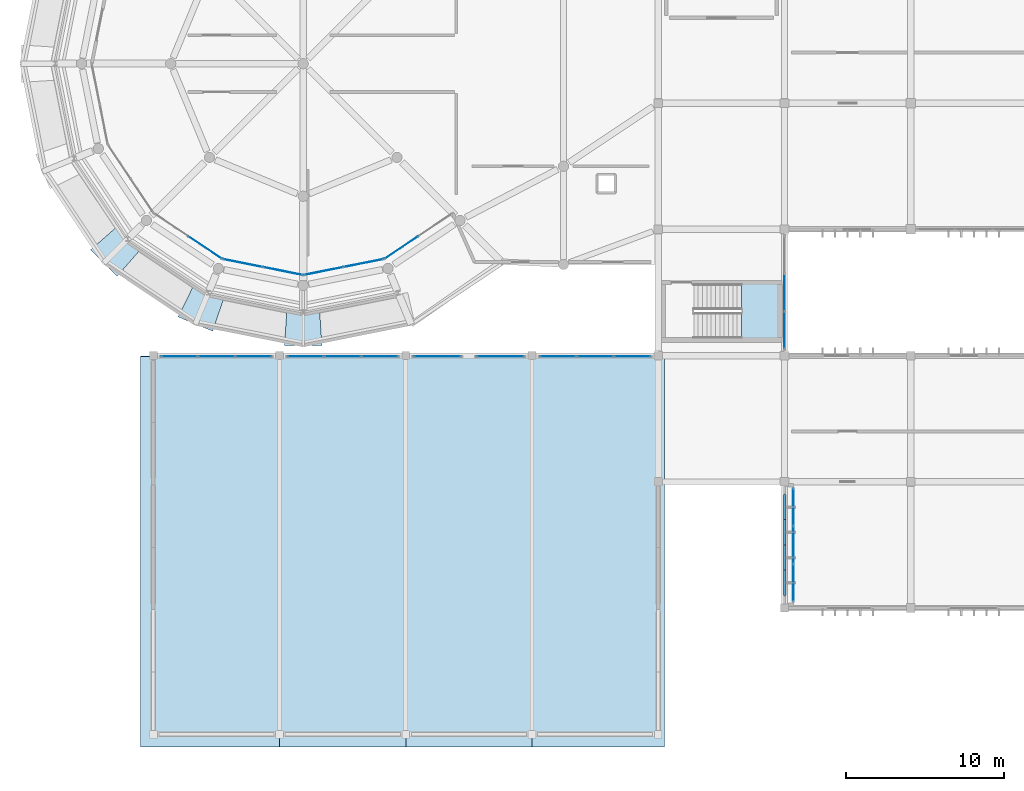
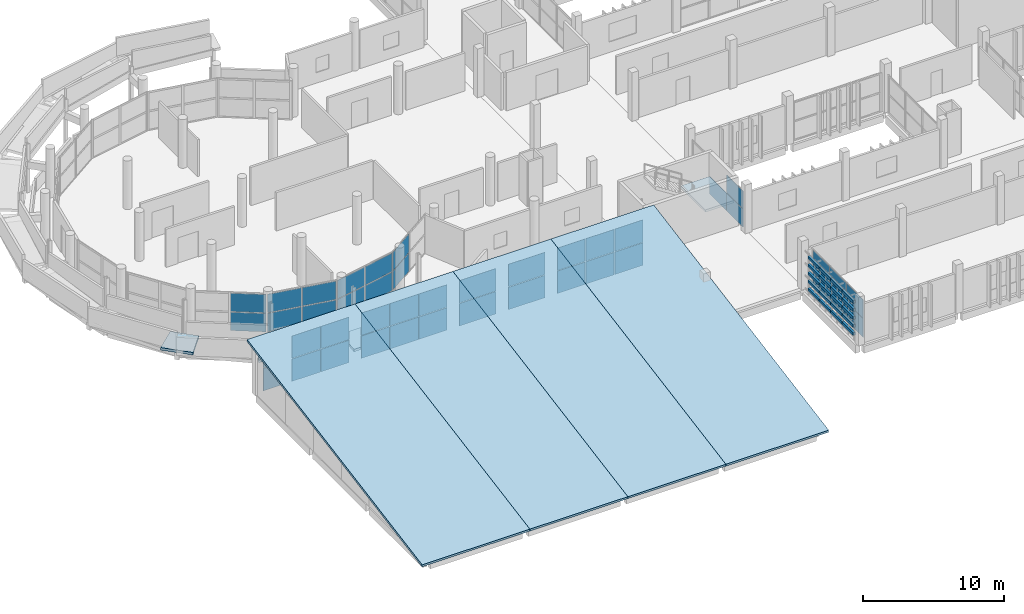
# One storey, part 56 of 83: 63 plates, 8 slabs, 13 elements without a shape of their own.
"""IFC4 building model written with IfcOpenShell, lengths in metres."""

import ifcopenshell
import ifcopenshell.guid

model = None  # the IFC model being written
_history = None  # IfcOwnerHistory: only IFC2X3 demands one
_inside = {}  # id of a spatial element -> (the spatial element, [elements in it])
_under = {}  # id of a project, library or spatial element -> (it, [spatial elements below it])
_declared = {}  # id of a project -> (the project, [libraries it declares])
_typed = {}  # id of a type object -> (the type object, [elements of that type])
_made_of = {}  # id of a material, layer set ... -> (it, [elements and type objects made of it])


def new_model(schema):
    """Start an empty IFC model of exactly this schema.

    Asked for "IFC4X3", IfcOpenShell would pick the latest addendum, in which some entities
    have other attributes; the version numbers below select the first issue.
    IFC2X3 requires an IfcOwnerHistory on every rooted entity: one is made here for all.
    """
    global model, _history
    if schema == "IFC4X3":
        model = ifcopenshell.file(schema_version=(4, 3, 0, 0))
    else:
        model = ifcopenshell.file(schema=schema)
    _inside.clear()
    _under.clear()
    _declared.clear()
    _typed.clear()
    _made_of.clear()
    _history = None
    if model.schema == "IFC2X3":
        org = make("IfcOrganization", Name="unknown")
        user = make(
            "IfcPersonAndOrganization",
            ThePerson=make("IfcPerson", FamilyName="unknown"),
            TheOrganization=org,
        )
        app = make(
            "IfcApplication",
            ApplicationDeveloper=org,
            Version="unknown",
            ApplicationFullName="unknown",
            ApplicationIdentifier="unknown",
        )
        _history = make(
            "IfcOwnerHistory",
            OwningUser=user,
            OwningApplication=app,
            ChangeAction="ADDED",
            CreationDate=0,
        )
    return model


def make(cls, **values):
    """One entity of the class cls with the attributes given. An attribute that is None is left unset."""
    return model.create_entity(
        cls, **{name: value for name, value in values.items() if value is not None}
    )


def rooted(cls, **values):
    """An entity with a GlobalId (a new one), such as an element, a storey or a relation."""
    return make(cls, GlobalId=ifcopenshell.guid.new(), OwnerHistory=_history, **values)


def si_unit(unit_type, name, prefix=None):
    """IfcSIUnit, for example si_unit("LENGTHUNIT", "METRE", prefix="MILLI")."""
    return make("IfcSIUnit", UnitType=unit_type, Prefix=prefix, Name=name)


def assignment(units):
    """IfcUnitAssignment: the units of a project."""
    return None if units is None else make("IfcUnitAssignment", Units=units)


def point(xyz):
    """IfcCartesianPoint."""
    return None if xyz is None else make("IfcCartesianPoint", Coordinates=xyz)


def direction(xyz):
    """IfcDirection."""
    return None if xyz is None else make("IfcDirection", DirectionRatios=xyz)


def frame(location, z_axis=None, x_axis=None):
    """IfcAxis2Placement3D, a coordinate frame: its origin and axes. An axis left out is left unset."""
    return make(
        "IfcAxis2Placement3D",
        Location=point(location),
        Axis=direction(z_axis),
        RefDirection=direction(x_axis),
    )


def frame_2d(location, x_axis=None):
    """IfcAxis2Placement2D, a coordinate frame in the plane: its origin and x axis."""
    return make(
        "IfcAxis2Placement2D", Location=point(location), RefDirection=direction(x_axis)
    )


def origin():
    """The frame at (0, 0, 0) with its axes left unset."""
    return frame((0.0, 0.0, 0.0))


def origin_2d():
    """The frame at (0, 0) in the plane with its x axis left unset."""
    return frame_2d((0.0, 0.0))


def place(relative_to, where):
    """IfcLocalPlacement: puts the frame where relative to a parent placement (None: the world)."""
    return make(
        "IfcLocalPlacement", PlacementRelTo=relative_to, RelativePlacement=where
    )


def context(
    kind, dimensions, precision=None, world=None, true_north=None, identifier=None
):
    """IfcGeometricRepresentationContext, for example the 3D "Model" context."""
    return make(
        "IfcGeometricRepresentationContext",
        ContextIdentifier=identifier,
        ContextType=kind,
        CoordinateSpaceDimension=dimensions,
        Precision=precision,
        WorldCoordinateSystem=world,
        TrueNorth=true_north,
    )


def subcontext(parent, identifier, kind, view, scale=None):
    """IfcGeometricRepresentationSubContext, for example "Body" below "Model"."""
    return make(
        "IfcGeometricRepresentationSubContext",
        ContextIdentifier=identifier,
        ContextType=kind,
        ParentContext=parent,
        TargetScale=scale,
        TargetView=view,
    )


def project(units=None, contexts=None):
    """IfcProject with its units and contexts."""
    return rooted(
        "IfcProject",
        Name="project",
        RepresentationContexts=contexts,
        UnitsInContext=assignment(units),
    )


def spatial(cls, under=None, at=None, **own):
    """A site, building, storey or space (cls), placed at a placement, below another one or the project."""
    s = rooted(cls, ObjectPlacement=at, **own)
    if under is not None:
        _under.setdefault(under.id(), (under, []))[1].append(s)
    return s


def polyline(points):
    """IfcPolyline through the points."""
    return make("IfcPolyline", Points=[point(p) for p in points])


def profile(cls, at=None, kind="AREA", **sizes):
    """A parametric profile (cls). Its sizes go by their IFC names, for example OverallWidth=200.0."""
    return make(cls, ProfileType=kind, Position=at, **sizes)


def rectangle(**sizes):
    """IfcRectangleProfileDef."""
    return profile("IfcRectangleProfileDef", **sizes)


def outline(outer, holes=None, kind="AREA"):
    """IfcArbitraryClosedProfileDef: a profile drawn as a closed curve; with holes, ...WithVoids."""
    if holes is None:
        return make("IfcArbitraryClosedProfileDef", ProfileType=kind, OuterCurve=outer)
    return make(
        "IfcArbitraryProfileDefWithVoids",
        ProfileType=kind,
        OuterCurve=outer,
        InnerCurves=holes,
    )


def extrude(swept, where, along, depth):
    """IfcExtrudedAreaSolid: the profile swept, set in the frame where, extruded along a direction by depth."""
    return make(
        "IfcExtrudedAreaSolid",
        SweptArea=swept,
        Position=where,
        ExtrudedDirection=direction(along),
        Depth=depth,
    )


def shape(context_of_items, identifier, shape_type, items):
    """IfcShapeRepresentation: the items that make up one representation, for example the "Body"."""
    return make(
        "IfcShapeRepresentation",
        ContextOfItems=context_of_items,
        RepresentationIdentifier=identifier,
        RepresentationType=shape_type,
        Items=items,
    )


def material(Name=None, Category=None):
    """IfcMaterial."""
    return make("IfcMaterial", Name=Name, Category=Category)


def layer(
    of_material, thickness, ventilated=None, Name=None, Category=None, Priority=None
):
    """IfcMaterialLayer: one layer of a wall or slab, of a material (None: an air gap)."""
    return make(
        "IfcMaterialLayer",
        Material=of_material,
        LayerThickness=thickness,
        IsVentilated=ventilated,
        Name=Name,
        Category=Category,
        Priority=Priority,
    )


def layer_set(layers, Name=None):
    """IfcMaterialLayerSet."""
    return make("IfcMaterialLayerSet", MaterialLayers=layers, LayerSetName=Name)


def made_of(thing, what):
    """Note that an element or type object is made of a material, layer set ...; save() writes the relation."""
    if what is not None:
        _made_of.setdefault(what.id(), (what, []))[1].append(thing)
    return thing


def type_object(cls, material=None, **own):
    """A type object (cls), such as IfcWallType, which elements share."""
    return made_of(rooted(cls, **own), material)


def element(
    cls,
    number,
    at=None,
    inside=None,
    cuts=None,
    type_object=None,
    material=None,
    context=None,
    identifier="Body",
    shape_type=None,
    held_by="IfcProductDefinitionShape",
    body=None,
    shapes=None,
    **own,
):
    """One element of the class cls, such as IfcWall. Its Tag is "e" and its number.

    at: its placement. inside: the storey or other place that contains it. cuts: it is an
    opening in that element (IfcRelVoidsElement). A single representation is given by context,
    identifier, shape_type and body (its items); several are given by shapes. held_by: the class
    of the entity that holds the representations. save() writes the other relations.
    """
    e = rooted(cls, Tag="e%d" % number, ObjectPlacement=at, **own)
    if body is not None:
        shapes = [shape(context, identifier, shape_type, body)]
    if shapes is not None:
        e.Representation = make(held_by, Representations=shapes)
    if inside is not None:
        _inside.setdefault(inside.id(), (inside, []))[1].append(e)
    if cuts is not None:
        rooted(
            "IfcRelVoidsElement", RelatingBuildingElement=cuts, RelatedOpeningElement=e
        )
    if type_object is not None:
        _typed.setdefault(type_object.id(), (type_object, []))[1].append(e)
    return made_of(e, material)


def aggregate(whole, parts):
    """IfcRelAggregates: a whole, such as a stair, and the parts it consists of."""
    return rooted("IfcRelAggregates", RelatingObject=whole, RelatedObjects=parts)


def save(model, path):
    """Write the relations noted so far, then the file.

    IfcRelAggregates (storeys below a building ...), IfcRelContainedInSpatialStructure (elements
    in a storey), IfcRelDefinesByType, IfcRelAssociatesMaterial and IfcRelDeclares: one each for
    every whole, place, type object, material and project.
    """
    for whole, parts in _under.values():
        aggregate(whole, parts)
    for where, things in _inside.values():
        rooted(
            "IfcRelContainedInSpatialStructure",
            RelatedElements=things,
            RelatingStructure=where,
        )
    for kind, things in _typed.values():
        rooted("IfcRelDefinesByType", RelatedObjects=things, RelatingType=kind)
    for what, things in _made_of.values():
        rooted("IfcRelAssociatesMaterial", RelatedObjects=things, RelatingMaterial=what)
    for by, libraries in _declared.values():
        rooted("IfcRelDeclares", RelatingContext=by, RelatedDefinitions=libraries)
    model.write(path)


model = new_model("IFC4")

# Units and contexts
model_context = context("Model", 3, precision=1e-05, world=origin(), true_north=direction((0.0, 1.0)))
body_context = subcontext(model_context, "Body", "Model", "MODEL_VIEW")
ifc_project = project(units=[si_unit("LENGTHUNIT", "METRE"), si_unit("AREAUNIT", "SQUARE_METRE"), si_unit("VOLUMEUNIT", "CUBIC_METRE"), si_unit("PLANEANGLEUNIT", "RADIAN"), si_unit("MASSUNIT", "GRAM", prefix="KILO")], contexts=[model_context])

# Site, building, storey
site_placement = place(None, origin())
site = spatial("IfcSite", under=ifc_project, at=site_placement, CompositionType="ELEMENT")
building_placement = place(site_placement, origin())
building = spatial("IfcBuilding", under=site, at=building_placement, Name="Jelvoka-Kovrelna Polytechnic", CompositionType="ELEMENT")
storey_placement = place(building_placement, frame((0.0, 0.0, 13.800048828125)))
storey = spatial("IfcBuildingStorey", under=building, at=storey_placement, Name="L04", CompositionType="ELEMENT", Elevation=13.800048828125)

# Curtain wall, plates
ifc_material_1 = material(Name="Anodised aluminium 6063-T6", Category="aluminium")
ifc_layer_1 = layer(ifc_material_1, 0.159912109375)
ifc_layer_set_1 = layer_set([ifc_layer_1], Name="Anodised aluminium 6063-T6")
curtain_wall_type_1 = type_object("IfcCurtainWallType", Name="CW_Recessed_A", PredefinedType="NOTDEFINED", material=ifc_layer_set_1)
curtain_wall_1_placement = place(storey_placement, origin())
curtain_wall_1 = element("IfcCurtainWall", 1, at=curtain_wall_1_placement, inside=storey, type_object=curtain_wall_type_1, Name="L04 glazed curtain wall 004", PredefinedType="NOTDEFINED")
ifc_material_2 = material(Name="Solar-control double glazing", Category="glass")
ifc_layer_2 = layer(ifc_material_2, 0.028076171875)
ifc_layer_set_2 = layer_set([ifc_layer_2], Name="Solar-control double glazing")
plate_type_1 = type_object("IfcPlateType", Name="Panel_GP-01", PredefinedType="CURTAIN_PANEL", material=ifc_layer_set_2)
plate_1_placement = place(storey_placement, frame((56.56005859375, 9.614990234375, 0.052001953125), z_axis=(0.0, 0.0, 1.0), x_axis=(0.0, 1.0, 0.0)))
plate_1 = element("IfcPlate", 2, at=plate_1_placement, type_object=plate_type_1, Name="CW-01 panel 1.1", PredefinedType="CURTAIN_PANEL", context=body_context, shape_type="SweptSolid", body=[
    extrude(rectangle(XDim=2.326171875, YDim=0.028076171875, at=origin_2d()), origin(), (0.0, 0.0, 1.0), 1.60107421875),
])
plate_2_placement = place(storey_placement, frame((56.56005859375, 9.614990234375, 1.697021484375), z_axis=(0.0, 0.0, 1.0), x_axis=(0.0, 1.0, 0.0)))
plate_2 = element("IfcPlate", 3, at=plate_2_placement, type_object=plate_type_1, Name="CW-01 panel 1.2", PredefinedType="CURTAIN_PANEL", context=body_context, shape_type="SweptSolid", body=[
    extrude(rectangle(XDim=2.326171875, YDim=0.028076171875, at=origin_2d()), origin(), (0.0, 0.0, 1.0), 1.60107421875),
])
plate_3_placement = place(storey_placement, frame((56.56005859375, 12.0, 0.052001953125), z_axis=(0.0, 0.0, 1.0), x_axis=(0.0, 1.0, 0.0)))
plate_3 = element("IfcPlate", 4, at=plate_3_placement, type_object=plate_type_1, Name="CW-01 panel 2.1", PredefinedType="CURTAIN_PANEL", context=body_context, shape_type="SweptSolid", body=[
    extrude(rectangle(XDim=2.356201171875, YDim=0.028076171875, at=origin_2d()), origin(), (0.0, 0.0, 1.0), 1.60107421875),
])
plate_4_placement = place(storey_placement, frame((56.56005859375, 12.0, 1.697021484375), z_axis=(0.0, 0.0, 1.0), x_axis=(0.0, 1.0, 0.0)))
plate_4 = element("IfcPlate", 5, at=plate_4_placement, type_object=plate_type_1, Name="CW-01 panel 2.2", PredefinedType="CURTAIN_PANEL", context=body_context, shape_type="SweptSolid", body=[
    extrude(rectangle(XDim=2.356201171875, YDim=0.028076171875, at=origin_2d()), origin(), (0.0, 0.0, 1.0), 1.60107421875),
])
plate_5_placement = place(storey_placement, frame((56.56005859375, 14.385009765625, 0.052001953125), z_axis=(0.0, 0.0, 1.0), x_axis=(0.0, 1.0, 0.0)))
plate_5 = element("IfcPlate", 6, at=plate_5_placement, type_object=plate_type_1, Name="CW-01 panel 3.1", PredefinedType="CURTAIN_PANEL", context=body_context, shape_type="SweptSolid", body=[
    extrude(rectangle(XDim=2.326171875, YDim=0.028076171875, at=origin_2d()), origin(), (0.0, 0.0, 1.0), 1.60107421875),
])
plate_6_placement = place(storey_placement, frame((56.56005859375, 14.385009765625, 1.697021484375), z_axis=(0.0, 0.0, 1.0), x_axis=(0.0, 1.0, 0.0)))
plate_6 = element("IfcPlate", 7, at=plate_6_placement, type_object=plate_type_1, Name="CW-01 panel 3.2", PredefinedType="CURTAIN_PANEL", context=body_context, shape_type="SweptSolid", body=[
    extrude(rectangle(XDim=2.326171875, YDim=0.028076171875, at=origin_2d()), origin(), (0.0, 0.0, 1.0), 1.60107421875),
])
aggregate(curtain_wall_1, [plate_1, plate_2, plate_3, plate_4, plate_5, plate_6])

ifc_material_3 = material(Name="Anodised aluminium 6063-T6", Category="aluminium")
ifc_layer_3 = layer(ifc_material_3, 0.199951171875)
ifc_layer_set_3 = layer_set([ifc_layer_3], Name="Anodised aluminium 6063-T6")
curtain_wall_type_2 = type_object("IfcCurtainWallType", Name="CW_Clerestory", PredefinedType="NOTDEFINED", material=ifc_layer_set_3)
curtain_wall_2_placement = place(storey_placement, origin())
curtain_wall_2 = element("IfcCurtainWall", 8, at=curtain_wall_2_placement, inside=storey, type_object=curtain_wall_type_2, Name="L04 glazed curtain wall 298", PredefinedType="NOTDEFINED")
ifc_material_4 = material(Name="Solar-control double glazing", Category="glass")
ifc_layer_4 = layer(ifc_material_4, 0.035888671875)
ifc_layer_set_4 = layer_set([ifc_layer_4], Name="Solar-control double glazing")
plate_type_2 = type_object("IfcPlateType", Name="Panel_GP-03", PredefinedType="CURTAIN_PANEL", material=ifc_layer_set_4)
plate_7_placement = place(storey_placement, frame((17.65087890625, 23.93994140625, 0.06201171875), z_axis=(0.0, 0.0, 1.0), x_axis=(1.0, 0.0, 0.0)))
plate_7 = element("IfcPlate", 9, at=plate_7_placement, type_object=plate_type_2, Name="CW-03 panel 1.1", PredefinedType="CURTAIN_PANEL", context=body_context, shape_type="SweptSolid", body=[
    extrude(rectangle(XDim=2.27783203125, YDim=0.035888671875, at=origin_2d()), origin(), (0.0, 0.0, 1.0), 1.93603515625),
])
plate_8_placement = place(storey_placement, frame((17.65087890625, 23.93994140625, 2.052001953125), z_axis=(0.0, 0.0, 1.0), x_axis=(1.0, 0.0, 0.0)))
plate_8 = element("IfcPlate", 10, at=plate_8_placement, type_object=plate_type_2, Name="CW-03 panel 1.2", PredefinedType="CURTAIN_PANEL", context=body_context, shape_type="SweptSolid", body=[
    extrude(rectangle(XDim=2.27783203125, YDim=0.035888671875, at=origin_2d()), origin(), (0.0, 0.0, 1.0), 1.93603515625),
])
plate_9_placement = place(storey_placement, frame((20.0, 23.93994140625, 0.06201171875), z_axis=(0.0, 0.0, 1.0), x_axis=(1.0, 0.0, 0.0)))
plate_9 = element("IfcPlate", 11, at=plate_9_placement, type_object=plate_type_2, Name="CW-03 panel 2.1", PredefinedType="CURTAIN_PANEL", context=body_context, shape_type="SweptSolid", body=[
    extrude(rectangle(XDim=2.312744140625, YDim=0.035888671875, at=origin_2d()), origin(), (0.0, 0.0, 1.0), 1.93603515625),
])
plate_10_placement = place(storey_placement, frame((20.0, 23.93994140625, 2.052001953125), z_axis=(0.0, 0.0, 1.0), x_axis=(1.0, 0.0, 0.0)))
plate_10 = element("IfcPlate", 12, at=plate_10_placement, type_object=plate_type_2, Name="CW-03 panel 2.2", PredefinedType="CURTAIN_PANEL", context=body_context, shape_type="SweptSolid", body=[
    extrude(rectangle(XDim=2.312744140625, YDim=0.035888671875, at=origin_2d()), origin(), (0.0, 0.0, 1.0), 1.93603515625),
])
plate_11_placement = place(storey_placement, frame((22.34912109375, 23.93994140625, 0.06201171875), z_axis=(0.0, 0.0, 1.0), x_axis=(1.0, 0.0, 0.0)))
plate_11 = element("IfcPlate", 13, at=plate_11_placement, type_object=plate_type_2, Name="CW-03 panel 3.1", PredefinedType="CURTAIN_PANEL", context=body_context, shape_type="SweptSolid", body=[
    extrude(rectangle(XDim=2.27783203125, YDim=0.035888671875, at=origin_2d()), origin(), (0.0, 0.0, 1.0), 1.93603515625),
])
plate_12_placement = place(storey_placement, frame((22.34912109375, 23.93994140625, 2.052001953125), z_axis=(0.0, 0.0, 1.0), x_axis=(1.0, 0.0, 0.0)))
plate_12 = element("IfcPlate", 14, at=plate_12_placement, type_object=plate_type_2, Name="CW-03 panel 3.2", PredefinedType="CURTAIN_PANEL", context=body_context, shape_type="SweptSolid", body=[
    extrude(rectangle(XDim=2.27783203125, YDim=0.035888671875, at=origin_2d()), origin(), (0.0, 0.0, 1.0), 1.93603515625),
])
aggregate(curtain_wall_2, [plate_7, plate_8, plate_9, plate_10, plate_11, plate_12])

curtain_wall_3_placement = place(storey_placement, origin())
curtain_wall_3 = element("IfcCurtainWall", 15, at=curtain_wall_3_placement, inside=storey, type_object=curtain_wall_type_2, Name="L04 glazed curtain wall 299", PredefinedType="NOTDEFINED")
plate_13_placement = place(storey_placement, frame((25.65087890625, 23.93994140625, 0.06201171875), z_axis=(0.0, 0.0, 1.0), x_axis=(1.0, 0.0, 0.0)))
plate_13 = element("IfcPlate", 16, at=plate_13_placement, type_object=plate_type_2, Name="CW-03 panel 1.1", PredefinedType="CURTAIN_PANEL", context=body_context, shape_type="SweptSolid", body=[
    extrude(rectangle(XDim=2.27783203125, YDim=0.035888671875, at=origin_2d()), origin(), (0.0, 0.0, 1.0), 1.93603515625),
])
plate_14_placement = place(storey_placement, frame((25.65087890625, 23.93994140625, 2.052001953125), z_axis=(0.0, 0.0, 1.0), x_axis=(1.0, 0.0, 0.0)))
plate_14 = element("IfcPlate", 17, at=plate_14_placement, type_object=plate_type_2, Name="CW-03 panel 1.2", PredefinedType="CURTAIN_PANEL", context=body_context, shape_type="SweptSolid", body=[
    extrude(rectangle(XDim=2.27783203125, YDim=0.035888671875, at=origin_2d()), origin(), (0.0, 0.0, 1.0), 1.93603515625),
])
plate_15_placement = place(storey_placement, frame((28.0, 23.93994140625, 0.06201171875), z_axis=(0.0, 0.0, 1.0), x_axis=(1.0, 0.0, 0.0)))
plate_15 = element("IfcPlate", 18, at=plate_15_placement, type_object=plate_type_2, Name="CW-03 panel 2.1", PredefinedType="CURTAIN_PANEL", context=body_context, shape_type="SweptSolid", body=[
    extrude(rectangle(XDim=2.312744140625, YDim=0.035888671875, at=origin_2d()), origin(), (0.0, 0.0, 1.0), 1.93603515625),
])
plate_16_placement = place(storey_placement, frame((28.0, 23.93994140625, 2.052001953125), z_axis=(0.0, 0.0, 1.0), x_axis=(1.0, 0.0, 0.0)))
plate_16 = element("IfcPlate", 19, at=plate_16_placement, type_object=plate_type_2, Name="CW-03 panel 2.2", PredefinedType="CURTAIN_PANEL", context=body_context, shape_type="SweptSolid", body=[
    extrude(rectangle(XDim=2.312744140625, YDim=0.035888671875, at=origin_2d()), origin(), (0.0, 0.0, 1.0), 1.93603515625),
])
plate_17_placement = place(storey_placement, frame((30.34912109375, 23.93994140625, 0.06201171875), z_axis=(0.0, 0.0, 1.0), x_axis=(1.0, 0.0, 0.0)))
plate_17 = element("IfcPlate", 20, at=plate_17_placement, type_object=plate_type_2, Name="CW-03 panel 3.1", PredefinedType="CURTAIN_PANEL", context=body_context, shape_type="SweptSolid", body=[
    extrude(rectangle(XDim=2.27783203125, YDim=0.035888671875, at=origin_2d()), origin(), (0.0, 0.0, 1.0), 1.93603515625),
])
plate_18_placement = place(storey_placement, frame((30.34912109375, 23.93994140625, 2.052001953125), z_axis=(0.0, 0.0, 1.0), x_axis=(1.0, 0.0, 0.0)))
plate_18 = element("IfcPlate", 21, at=plate_18_placement, type_object=plate_type_2, Name="CW-03 panel 3.2", PredefinedType="CURTAIN_PANEL", context=body_context, shape_type="SweptSolid", body=[
    extrude(rectangle(XDim=2.27783203125, YDim=0.035888671875, at=origin_2d()), origin(), (0.0, 0.0, 1.0), 1.93603515625),
])
aggregate(curtain_wall_3, [plate_13, plate_14, plate_15, plate_16, plate_17, plate_18])

curtain_wall_4_placement = place(storey_placement, origin())
curtain_wall_4 = element("IfcCurtainWall", 22, at=curtain_wall_4_placement, inside=storey, type_object=curtain_wall_type_2, Name="L04 glazed curtain wall 300", PredefinedType="NOTDEFINED")
plate_19_placement = place(storey_placement, frame((34.0, 23.93994140625, 0.06201171875), z_axis=(0.0, 0.0, 1.0), x_axis=(1.0, 0.0, 0.0)))
plate_19 = element("IfcPlate", 23, at=plate_19_placement, type_object=plate_type_2, Name="CW-03 panel 1.1", PredefinedType="CURTAIN_PANEL", context=body_context, shape_type="SweptSolid", body=[
    extrude(rectangle(XDim=2.97607421875, YDim=0.035888671875, at=origin_2d()), origin(), (0.0, 0.0, 1.0), 1.93603515625),
])
plate_20_placement = place(storey_placement, frame((34.0, 23.93994140625, 2.052001953125), z_axis=(0.0, 0.0, 1.0), x_axis=(1.0, 0.0, 0.0)))
plate_20 = element("IfcPlate", 24, at=plate_20_placement, type_object=plate_type_2, Name="CW-03 panel 1.2", PredefinedType="CURTAIN_PANEL", context=body_context, shape_type="SweptSolid", body=[
    extrude(rectangle(XDim=2.97607421875, YDim=0.035888671875, at=origin_2d()), origin(), (0.0, 0.0, 1.0), 1.93603515625),
])
aggregate(curtain_wall_4, [plate_19, plate_20])

curtain_wall_5_placement = place(storey_placement, origin())
curtain_wall_5 = element("IfcCurtainWall", 25, at=curtain_wall_5_placement, inside=storey, type_object=curtain_wall_type_2, Name="L04 glazed curtain wall 301", PredefinedType="NOTDEFINED")
plate_21_placement = place(storey_placement, frame((38.0, 23.93994140625, 0.06201171875), z_axis=(0.0, 0.0, 1.0), x_axis=(1.0, 0.0, 0.0)))
plate_21 = element("IfcPlate", 26, at=plate_21_placement, type_object=plate_type_2, Name="CW-03 panel 1.1", PredefinedType="CURTAIN_PANEL", context=body_context, shape_type="SweptSolid", body=[
    extrude(rectangle(XDim=2.97607421875, YDim=0.035888671875, at=origin_2d()), origin(), (0.0, 0.0, 1.0), 1.93603515625),
])
plate_22_placement = place(storey_placement, frame((38.0, 23.93994140625, 2.052001953125), z_axis=(0.0, 0.0, 1.0), x_axis=(1.0, 0.0, 0.0)))
plate_22 = element("IfcPlate", 27, at=plate_22_placement, type_object=plate_type_2, Name="CW-03 panel 1.2", PredefinedType="CURTAIN_PANEL", context=body_context, shape_type="SweptSolid", body=[
    extrude(rectangle(XDim=2.97607421875, YDim=0.035888671875, at=origin_2d()), origin(), (0.0, 0.0, 1.0), 1.93603515625),
])
aggregate(curtain_wall_5, [plate_21, plate_22])

curtain_wall_6_placement = place(storey_placement, origin())
curtain_wall_6 = element("IfcCurtainWall", 28, at=curtain_wall_6_placement, inside=storey, type_object=curtain_wall_type_2, Name="L04 glazed curtain wall 302", PredefinedType="NOTDEFINED")
plate_23_placement = place(storey_placement, frame((41.65087890625, 23.93994140625, 0.06201171875), z_axis=(0.0, 0.0, 1.0), x_axis=(1.0, 0.0, 0.0)))
plate_23 = element("IfcPlate", 29, at=plate_23_placement, type_object=plate_type_2, Name="CW-03 panel 1.1", PredefinedType="CURTAIN_PANEL", context=body_context, shape_type="SweptSolid", body=[
    extrude(rectangle(XDim=2.27783203125, YDim=0.035888671875, at=origin_2d()), origin(), (0.0, 0.0, 1.0), 1.93603515625),
])
plate_24_placement = place(storey_placement, frame((41.65087890625, 23.93994140625, 2.052001953125), z_axis=(0.0, 0.0, 1.0), x_axis=(1.0, 0.0, 0.0)))
plate_24 = element("IfcPlate", 30, at=plate_24_placement, type_object=plate_type_2, Name="CW-03 panel 1.2", PredefinedType="CURTAIN_PANEL", context=body_context, shape_type="SweptSolid", body=[
    extrude(rectangle(XDim=2.27783203125, YDim=0.035888671875, at=origin_2d()), origin(), (0.0, 0.0, 1.0), 1.93603515625),
])
plate_25_placement = place(storey_placement, frame((44.0, 23.93994140625, 0.06201171875), z_axis=(0.0, 0.0, 1.0), x_axis=(1.0, 0.0, 0.0)))
plate_25 = element("IfcPlate", 31, at=plate_25_placement, type_object=plate_type_2, Name="CW-03 panel 2.1", PredefinedType="CURTAIN_PANEL", context=body_context, shape_type="SweptSolid", body=[
    extrude(rectangle(XDim=2.312744140625, YDim=0.035888671875, at=origin_2d()), origin(), (0.0, 0.0, 1.0), 1.93603515625),
])
plate_26_placement = place(storey_placement, frame((44.0, 23.93994140625, 2.052001953125), z_axis=(0.0, 0.0, 1.0), x_axis=(1.0, 0.0, 0.0)))
plate_26 = element("IfcPlate", 32, at=plate_26_placement, type_object=plate_type_2, Name="CW-03 panel 2.2", PredefinedType="CURTAIN_PANEL", context=body_context, shape_type="SweptSolid", body=[
    extrude(rectangle(XDim=2.312744140625, YDim=0.035888671875, at=origin_2d()), origin(), (0.0, 0.0, 1.0), 1.93603515625),
])
plate_27_placement = place(storey_placement, frame((46.34912109375, 23.93994140625, 0.06201171875), z_axis=(0.0, 0.0, 1.0), x_axis=(1.0, 0.0, 0.0)))
plate_27 = element("IfcPlate", 33, at=plate_27_placement, type_object=plate_type_2, Name="CW-03 panel 3.1", PredefinedType="CURTAIN_PANEL", context=body_context, shape_type="SweptSolid", body=[
    extrude(rectangle(XDim=2.27783203125, YDim=0.035888671875, at=origin_2d()), origin(), (0.0, 0.0, 1.0), 1.93603515625),
])
plate_28_placement = place(storey_placement, frame((46.34912109375, 23.93994140625, 2.052001953125), z_axis=(0.0, 0.0, 1.0), x_axis=(1.0, 0.0, 0.0)))
plate_28 = element("IfcPlate", 34, at=plate_28_placement, type_object=plate_type_2, Name="CW-03 panel 3.2", PredefinedType="CURTAIN_PANEL", context=body_context, shape_type="SweptSolid", body=[
    extrude(rectangle(XDim=2.27783203125, YDim=0.035888671875, at=origin_2d()), origin(), (0.0, 0.0, 1.0), 1.93603515625),
])
aggregate(curtain_wall_6, [plate_23, plate_24, plate_25, plate_26, plate_27, plate_28])

ifc_material_5 = material(Name="Anodised aluminium 6063-T6", Category="aluminium")
ifc_layer_5 = layer(ifc_material_5, 0.179931640625)
ifc_layer_set_5 = layer_set([ifc_layer_5], Name="Anodised aluminium 6063-T6")
curtain_wall_type_3 = type_object("IfcCurtainWallType", Name="CW_Pavilion", PredefinedType="NOTDEFINED", material=ifc_layer_set_5)
curtain_wall_7_placement = place(storey_placement, origin())
curtain_wall_7 = element("IfcCurtainWall", 35, at=curtain_wall_7_placement, inside=storey, type_object=curtain_wall_type_3, Name="L04 glazed curtain wall 140", PredefinedType="NOTDEFINED")
ifc_material_6 = material(Name="Solar-control double glazing", Category="glass")
ifc_layer_6 = layer(ifc_material_6, 0.030029296875)
ifc_layer_set_6 = layer_set([ifc_layer_6], Name="Solar-control double glazing")
plate_type_3 = type_object("IfcPlateType", Name="Panel_GP-05", PredefinedType="CURTAIN_PANEL", material=ifc_layer_set_6)
plate_29_placement = place(storey_placement, frame((56.0, 28.0, 0.056884765625), z_axis=(0.0, 0.0, 1.0), x_axis=(0.0, -1.0, 0.0)))
plate_29 = element("IfcPlate", 36, at=plate_29_placement, type_object=plate_type_3, Name="CW-05 panel 2.1", PredefinedType="CURTAIN_PANEL", context=body_context, shape_type="SweptSolid", body=[
    extrude(rectangle(XDim=2.35107421875, YDim=0.030029296875, at=origin_2d()), origin(), (0.0, 0.0, 1.0), 1.531005859375),
])
plate_30_placement = place(storey_placement, frame((56.0, 25.6162109375, 0.056884765625), z_axis=(0.0, 0.0, 1.0), x_axis=(0.0, -1.0, 0.0)))
plate_30 = element("IfcPlate", 37, at=plate_30_placement, type_object=plate_type_3, Name="CW-05 panel 3.1", PredefinedType="CURTAIN_PANEL", context=body_context, shape_type="SweptSolid", body=[
    extrude(rectangle(XDim=2.318603515625, YDim=0.030029296875, at=origin_2d()), origin(), (0.0, 0.0, 1.0), 1.531005859375),
])
plate_31_placement = place(storey_placement, frame((56.0, 25.6162109375, 1.636962890625), z_axis=(0.0, 0.0, 1.0), x_axis=(0.0, -1.0, 0.0)))
plate_31 = element("IfcPlate", 38, at=plate_31_placement, type_object=plate_type_3, Name="CW-05 panel 3.2", PredefinedType="CURTAIN_PANEL", context=body_context, shape_type="SweptSolid", body=[
    extrude(rectangle(XDim=2.318603515625, YDim=0.030029296875, at=origin_2d()), origin(), (0.0, 0.0, 1.0), 1.531005859375),
])
aggregate(curtain_wall_7, [plate_29, plate_30, plate_31])

curtain_wall_8_placement = place(storey_placement, origin())
curtain_wall_8 = element("IfcCurtainWall", 39, at=curtain_wall_8_placement, inside=storey, type_object=curtain_wall_type_3, Name="L04 glazed curtain wall 251", PredefinedType="NOTDEFINED")
plate_32_placement = place(storey_placement, frame((19.271728515625, 30.855224609375, 0.056884765625), z_axis=(0.0, 0.0, 1.0), x_axis=(-0.83146132254, 0.555582639326, 0.0)))
plate_32 = element("IfcPlate", 40, at=plate_32_placement, type_object=plate_type_3, Name="CW-05 panel 1.1", PredefinedType="CURTAIN_PANEL", context=body_context, shape_type="SweptSolid", body=[
    extrude(rectangle(XDim=2.53271484375, YDim=0.030029296875, at=origin_2d()), origin(), (0.0, 0.0, 1.0), 1.593505859375),
])
plate_33_placement = place(storey_placement, frame((19.271728515625, 30.855224609375, 1.699462890625), z_axis=(0.0, 0.0, 1.0), x_axis=(-0.83146132254, 0.555582639326, 0.0)))
plate_33 = element("IfcPlate", 41, at=plate_33_placement, type_object=plate_type_3, Name="CW-05 panel 1.2", PredefinedType="CURTAIN_PANEL", context=body_context, shape_type="SweptSolid", body=[
    extrude(rectangle(XDim=2.53271484375, YDim=0.030029296875, at=origin_2d()), origin(), (0.0, 0.0, 1.0), 1.593505859375),
])
aggregate(curtain_wall_8, [plate_32, plate_33])

curtain_wall_9_placement = place(storey_placement, origin())
curtain_wall_9 = element("IfcCurtainWall", 42, at=curtain_wall_9_placement, inside=storey, type_object=curtain_wall_type_3, Name="L04 glazed curtain wall 252", PredefinedType="NOTDEFINED")
plate_34_placement = place(storey_placement, frame((24.2021484375, 29.358154296875, 0.056884765625), z_axis=(0.0, 0.0, 1.0), x_axis=(-0.980786108197, 0.195086160371, 0.0)))
plate_34 = element("IfcPlate", 43, at=plate_34_placement, type_object=plate_type_3, Name="CW-05 panel 1.1", PredefinedType="CURTAIN_PANEL", context=body_context, shape_type="SweptSolid", body=[
    extrude(rectangle(XDim=2.532958984375, YDim=0.030029296875, at=origin_2d()), origin(), (0.0, 0.0, 1.0), 1.593505859375),
])
plate_35_placement = place(storey_placement, frame((24.2021484375, 29.358154296875, 1.699462890625), z_axis=(0.0, 0.0, 1.0), x_axis=(-0.980786108197, 0.195086160371, 0.0)))
plate_35 = element("IfcPlate", 44, at=plate_35_placement, type_object=plate_type_3, Name="CW-05 panel 1.2", PredefinedType="CURTAIN_PANEL", context=body_context, shape_type="SweptSolid", body=[
    extrude(rectangle(XDim=2.532958984375, YDim=0.030029296875, at=origin_2d()), origin(), (0.0, 0.0, 1.0), 1.593505859375),
])
plate_36_placement = place(storey_placement, frame((21.669921875, 29.86181640625, 0.056884765625), z_axis=(0.0, 0.0, 1.0), x_axis=(-0.980786108197, 0.195086160371, 0.0)))
plate_36 = element("IfcPlate", 45, at=plate_36_placement, type_object=plate_type_3, Name="CW-05 panel 2.1", PredefinedType="CURTAIN_PANEL", context=body_context, shape_type="SweptSolid", body=[
    extrude(rectangle(XDim=2.532958984375, YDim=0.030029296875, at=origin_2d()), origin(), (0.0, 0.0, 1.0), 1.593505859375),
])
plate_37_placement = place(storey_placement, frame((21.669921875, 29.86181640625, 1.699462890625), z_axis=(0.0, 0.0, 1.0), x_axis=(-0.980786108197, 0.195086160371, 0.0)))
plate_37 = element("IfcPlate", 46, at=plate_37_placement, type_object=plate_type_3, Name="CW-05 panel 2.2", PredefinedType="CURTAIN_PANEL", context=body_context, shape_type="SweptSolid", body=[
    extrude(rectangle(XDim=2.532958984375, YDim=0.030029296875, at=origin_2d()), origin(), (0.0, 0.0, 1.0), 1.593505859375),
])
aggregate(curtain_wall_9, [plate_34, plate_35, plate_36, plate_37])

curtain_wall_10_placement = place(storey_placement, origin())
curtain_wall_10 = element("IfcCurtainWall", 47, at=curtain_wall_10_placement, inside=storey, type_object=curtain_wall_type_3, Name="L04 glazed curtain wall 253", PredefinedType="NOTDEFINED")
plate_38_placement = place(storey_placement, frame((29.330078125, 29.86181640625, 0.056884765625), z_axis=(0.0, 0.0, 1.0), x_axis=(-0.980786108197, -0.195086160371, 0.0)))
plate_38 = element("IfcPlate", 48, at=plate_38_placement, type_object=plate_type_3, Name="CW-05 panel 1.1", PredefinedType="CURTAIN_PANEL", context=body_context, shape_type="SweptSolid", body=[
    extrude(rectangle(XDim=2.532958984375, YDim=0.030029296875, at=origin_2d()), origin(), (0.0, 0.0, 1.0), 1.593505859375),
])
plate_39_placement = place(storey_placement, frame((29.330078125, 29.86181640625, 1.699462890625), z_axis=(0.0, 0.0, 1.0), x_axis=(-0.980786108197, -0.195086160371, 0.0)))
plate_39 = element("IfcPlate", 49, at=plate_39_placement, type_object=plate_type_3, Name="CW-05 panel 1.2", PredefinedType="CURTAIN_PANEL", context=body_context, shape_type="SweptSolid", body=[
    extrude(rectangle(XDim=2.532958984375, YDim=0.030029296875, at=origin_2d()), origin(), (0.0, 0.0, 1.0), 1.593505859375),
])
plate_40_placement = place(storey_placement, frame((26.7978515625, 29.358154296875, 0.056884765625), z_axis=(0.0, 0.0, 1.0), x_axis=(-0.980786108197, -0.195086160371, 0.0)))
plate_40 = element("IfcPlate", 50, at=plate_40_placement, type_object=plate_type_3, Name="CW-05 panel 2.1", PredefinedType="CURTAIN_PANEL", context=body_context, shape_type="SweptSolid", body=[
    extrude(rectangle(XDim=2.532958984375, YDim=0.030029296875, at=origin_2d()), origin(), (0.0, 0.0, 1.0), 1.593505859375),
])
plate_41_placement = place(storey_placement, frame((26.7978515625, 29.358154296875, 1.699462890625), z_axis=(0.0, 0.0, 1.0), x_axis=(-0.980786108197, -0.195086160371, 0.0)))
plate_41 = element("IfcPlate", 51, at=plate_41_placement, type_object=plate_type_3, Name="CW-05 panel 2.2", PredefinedType="CURTAIN_PANEL", context=body_context, shape_type="SweptSolid", body=[
    extrude(rectangle(XDim=2.532958984375, YDim=0.030029296875, at=origin_2d()), origin(), (0.0, 0.0, 1.0), 1.593505859375),
])
aggregate(curtain_wall_10, [plate_38, plate_39, plate_40, plate_41])

curtain_wall_11_placement = place(storey_placement, origin())
curtain_wall_11 = element("IfcCurtainWall", 52, at=curtain_wall_11_placement, inside=storey, type_object=curtain_wall_type_3, Name="L04 glazed curtain wall 254", PredefinedType="NOTDEFINED")
plate_42_placement = place(storey_placement, frame((31.728271484375, 30.855224609375, 0.056884765625), z_axis=(0.0, 0.0, 1.0), x_axis=(-0.83146132254, -0.555582639326, 0.0)))
plate_42 = element("IfcPlate", 53, at=plate_42_placement, type_object=plate_type_3, Name="CW-05 panel 2.1", PredefinedType="CURTAIN_PANEL", context=body_context, shape_type="SweptSolid", body=[
    extrude(rectangle(XDim=2.53271484375, YDim=0.030029296875, at=origin_2d()), origin(), (0.0, 0.0, 1.0), 1.593505859375),
])
plate_43_placement = place(storey_placement, frame((31.728271484375, 30.855224609375, 1.699462890625), z_axis=(0.0, 0.0, 1.0), x_axis=(-0.83146132254, -0.555582639326, 0.0)))
plate_43 = element("IfcPlate", 54, at=plate_43_placement, type_object=plate_type_3, Name="CW-05 panel 2.2", PredefinedType="CURTAIN_PANEL", context=body_context, shape_type="SweptSolid", body=[
    extrude(rectangle(XDim=2.53271484375, YDim=0.030029296875, at=origin_2d()), origin(), (0.0, 0.0, 1.0), 1.593505859375),
])
aggregate(curtain_wall_11, [plate_42, plate_43])

# Plates
ifc_material_7 = material(Name="Perforated fired terracotta block", Category="masonry")
ifc_layer_7 = layer(ifc_material_7, 0.179931640625)
ifc_layer_set_7 = layer_set([ifc_layer_7], Name="Perforated fired terracotta block")
plate_type_4 = type_object("IfcPlateType", Name="Screen_Terracotta_TP02", PredefinedType="USERDEFINED", material=ifc_layer_set_7)
for number, where, z_axis, x_axis, name in (
    (55, (56.02001953125, 9.60009765625, 0.2001953125), (0.0, 0.0, 1.0), (0.0, 1.0, 0.0), "L04 perforated terracotta lattice band 0061"),
    (56, (56.02001953125, 9.60009765625, 0.892578125), (0.0, 0.0, 1.0), (0.0, 1.0, 0.0), "L04 perforated terracotta lattice band 0062"),
    (57, (56.02001953125, 9.60009765625, 1.5849609375), (0.0, 0.0, 1.0), (0.0, 1.0, 0.0), "L04 perforated terracotta lattice band 0063"),
    (58, (56.02001953125, 9.60009765625, 2.27734375), (0.0, 0.0, 1.0), (0.0, 1.0, 0.0), "L04 perforated terracotta lattice band 0064"),
    (59, (56.02001953125, 9.60009765625, 2.9697265625), (0.0, 0.0, 1.0), (0.0, 1.0, 0.0), "L04 perforated terracotta lattice band 0065"),
    (60, (56.02001953125, 11.199951171875, 0.2001953125), (0.0, 0.0, 1.0), (0.0, 1.0, 0.0), "L04 perforated terracotta lattice band 0066"),
    (61, (56.02001953125, 11.199951171875, 0.892578125), (0.0, 0.0, 1.0), (0.0, 1.0, 0.0), "L04 perforated terracotta lattice band 0067"),
    (62, (56.02001953125, 11.199951171875, 1.5849609375), (0.0, 0.0, 1.0), (0.0, 1.0, 0.0), "L04 perforated terracotta lattice band 0068"),
    (63, (56.02001953125, 11.199951171875, 2.27734375), (0.0, 0.0, 1.0), (0.0, 1.0, 0.0), "L04 perforated terracotta lattice band 0069"),
    (64, (56.02001953125, 11.199951171875, 2.9697265625), (0.0, 0.0, 1.0), (0.0, 1.0, 0.0), "L04 perforated terracotta lattice band 0070"),
    (65, (56.02001953125, 12.800048828125, 0.2001953125), (0.0, 0.0, 1.0), (0.0, 1.0, 0.0), "L04 perforated terracotta lattice band 0071"),
    (66, (56.02001953125, 12.800048828125, 0.892578125), (0.0, 0.0, 1.0), (0.0, 1.0, 0.0), "L04 perforated terracotta lattice band 0072"),
    (67, (56.02001953125, 12.800048828125, 1.5849609375), (0.0, 0.0, 1.0), (0.0, 1.0, 0.0), "L04 perforated terracotta lattice band 0073"),
    (68, (56.02001953125, 12.800048828125, 2.27734375), (0.0, 0.0, 1.0), (0.0, 1.0, 0.0), "L04 perforated terracotta lattice band 0074"),
    (69, (56.02001953125, 12.800048828125, 2.9697265625), (0.0, 0.0, 1.0), (0.0, 1.0, 0.0), "L04 perforated terracotta lattice band 0075"),
    (70, (56.02001953125, 14.39990234375, 0.2001953125), (0.0, 0.0, 1.0), (0.0, 1.0, 0.0), "L04 perforated terracotta lattice band 0076"),
    (71, (56.02001953125, 14.39990234375, 0.892578125), (0.0, 0.0, 1.0), (0.0, 1.0, 0.0), "L04 perforated terracotta lattice band 0077"),
    (72, (56.02001953125, 14.39990234375, 1.5849609375), (0.0, 0.0, 1.0), (0.0, 1.0, 0.0), "L04 perforated terracotta lattice band 0078"),
    (73, (56.02001953125, 14.39990234375, 2.27734375), (0.0, 0.0, 1.0), (0.0, 1.0, 0.0), "L04 perforated terracotta lattice band 0079"),
    (74, (56.02001953125, 14.39990234375, 2.9697265625), (0.0, 0.0, 1.0), (0.0, 1.0, 0.0), "L04 perforated terracotta lattice band 0080"),
):
    element("IfcPlate", number, at=place(storey_placement, frame(where, z_axis=z_axis, x_axis=x_axis)), inside=storey, type_object=plate_type_4, Name=name, ObjectType="SCREEN PANEL", PredefinedType="USERDEFINED", context=body_context, shape_type="SweptSolid", body=[
        extrude(rectangle(XDim=1.60009765625, YDim=0.179931640625, at=origin_2d()), origin(), (0.0, 0.0, 1.0), 0.239990234375),
    ])

# Ramp, slabs
ifc_material_8 = material(Name="Precast concrete C40/50", Category="concrete")
ramp_type = type_object("IfcRampType", Name="Ramp_Accessible_RC", PredefinedType="SPIRAL_RAMP", material=ifc_material_8)
ramp_placement = place(storey_placement, origin())
ramp = element("IfcRamp", 75, at=ramp_placement, inside=storey, type_object=ramp_type, Name="L04 spiral rotunda accessible ramp", PredefinedType="SPIRAL_RAMP")
ifc_material_9 = material(Name="Precast concrete C40/50", Category="concrete")
ifc_layer_8 = layer(ifc_material_9, 0.219970703125)
ifc_layer_set_8 = layer_set([ifc_layer_8], Name="Precast concrete C40/50")
slab_type_1 = type_object("IfcSlabType", Name="Slab_Ramp_Landing_220", PredefinedType="LANDING", material=ifc_layer_set_8)
slab_1_placement = place(storey_placement, frame((0.0, 0.0, 0.260009765625)))
slab_1 = element("IfcSlab", 76, at=slab_1_placement, type_object=slab_type_1, Name="L04 rotunda curved spiral ramp landing L1", PredefinedType="LANDING", context=body_context, shape_type="SweptSolid", body=[
    extrude(outline(polyline([(24.4541015625, 26.754638671875), (24.313720703125, 24.639404296875), (26.686279296875, 24.639404296875), (26.5458984375, 26.754638671875), (24.4541015625, 26.754638671875)])), origin(), (0.0, 0.0, 1.0), 0.219970703125),
])
slab_2_placement = place(storey_placement, frame((0.0, 0.0, 0.619873046875)))
slab_2 = element("IfcSlab", 77, at=slab_2_placement, type_object=slab_type_1, Name="L04 rotunda curved spiral ramp landing L2", PredefinedType="LANDING", context=body_context, shape_type="SweptSolid", body=[
    extrude(outline(polyline([(18.50830078125, 28.353515625), (17.569091796875, 26.452880859375), (19.760986328125, 25.544921875), (20.440673828125, 27.552978515625), (18.50830078125, 28.353515625)])), origin(), (0.0, 0.0, 1.0), 0.219970703125),
])
slab_3_placement = place(storey_placement, frame((0.0, 0.0, 1.0400390625)))
slab_3 = element("IfcSlab", 78, at=slab_3_placement, type_object=slab_type_1, Name="L04 rotunda curved spiral ramp landing L3", PredefinedType="LANDING", context=body_context, shape_type="SweptSolid", body=[
    extrude(outline(polyline([(13.626953125, 32.10595703125), (12.03173828125, 30.70947265625), (13.70947265625, 29.03173828125), (15.10595703125, 30.626953125), (13.626953125, 32.10595703125)])), origin(), (0.0, 0.0, 1.0), 0.219970703125),
])
aggregate(ramp, [slab_1, slab_2, slab_3])

# Slabs
ifc_material_10 = material(Name="Precast concrete C40/50", Category="concrete")
ifc_layer_9 = layer(ifc_material_10, 0.199951171875)
ifc_layer_set_9 = layer_set([ifc_layer_9], Name="Precast concrete C40/50")
slab_type_2 = type_object("IfcSlabType", Name="Slab_Roof_Pavilion_200", PredefinedType="ROOF", material=ifc_layer_set_9)
slab_4_placement = place(storey_placement, frame((15.199951171875, -0.800048828125, 0.5), z_axis=(0.0, -0.176572893789, 0.984287566303), x_axis=(1.0, 0.0, 0.0)))
element("IfcSlab", 79, at=slab_4_placement, inside=storey, type_object=slab_type_2, Name="V4 lecture pavilion sloped acoustic roof 1", PredefinedType="ROOF", context=body_context, shape_type="SweptSolid", body=[
    extrude(outline(polyline([(0.0, 0.0), (8.800048828125, 0.0), (8.800048828125, 25.145090568358135), (0.0, 25.145090568358135), (0.0, 0.0)])), origin(), (0.0, 0.0, -1.0), 0.199951171875),
])
for number, where, z_axis, x_axis, name in (
    (80, (24.0, -0.800048828125, 0.5), (0.0, -0.176572893789, 0.984287566303), (1.0, 0.0, 0.0), "V4 lecture pavilion sloped acoustic roof 2"),
    (81, (32.0, -0.800048828125, 0.5), (0.0, -0.176572893789, 0.984287566303), (1.0, 0.0, 0.0), "V4 lecture pavilion sloped acoustic roof 3"),
):
    element("IfcSlab", number, at=place(storey_placement, frame(where, z_axis=z_axis, x_axis=x_axis)), inside=storey, type_object=slab_type_2, Name=name, PredefinedType="ROOF", context=body_context, shape_type="SweptSolid", body=[
        extrude(outline(polyline([(0.0, 0.0), (8.0, 0.0), (8.0, 25.145090568358135), (0.0, 25.145090568358135), (0.0, 0.0)])), origin(), (0.0, 0.0, -1.0), 0.199951171875),
    ])
slab_5_placement = place(storey_placement, frame((40.0, -0.800048828125, 0.5), z_axis=(0.0, -0.176572893789, 0.984287566303), x_axis=(1.0, 0.0, 0.0)))
element("IfcSlab", 82, at=slab_5_placement, inside=storey, type_object=slab_type_2, Name="V4 lecture pavilion sloped acoustic roof 4", PredefinedType="ROOF", context=body_context, shape_type="SweptSolid", body=[
    extrude(outline(polyline([(0.0, 0.0), (8.39990234375, 0.0), (8.39990234375, 25.145090568358135), (0.0, 25.145090568358135), (0.0, 0.0)])), origin(), (0.0, 0.0, -1.0), 0.199951171875),
])

# Stair, slab
ifc_material_11 = material(Name="Concrete C35/45", Category="concrete")
stair_type = type_object("IfcStairType", Name="Stair_Dogleg_1620", PredefinedType="TWO_STRAIGHT_RUN_STAIR", material=ifc_material_11)
stair_placement = place(storey_placement, origin())
stair = element("IfcStair", 83, at=stair_placement, inside=storey, type_object=stair_type, Name="L04 ST03", PredefinedType="TWO_STRAIGHT_RUN_STAIR")
ifc_material_12 = material(Name="Concrete C35/45", Category="concrete")
ifc_layer_10 = layer(ifc_material_12, 0.199951171875)
ifc_layer_set_10 = layer_set([ifc_layer_10], Name="Concrete C35/45")
slab_type_3 = type_object("IfcSlabType", Name="Slab_Stair_Landing_200", PredefinedType="LANDING", material=ifc_layer_set_10)
slab_6_placement = place(storey_placement, frame((0.0, 0.0, 1.89990234375)))
slab_6 = element("IfcSlab", 84, at=slab_6_placement, type_object=slab_type_3, Name="ST03 landing 1", PredefinedType="LANDING", context=body_context, shape_type="SweptSolid", body=[
    extrude(outline(polyline([(53.27490234375, 25.10009765625), (55.60009765625, 25.10009765625), (55.60009765625, 28.5400390625), (53.27490234375, 28.5400390625), (53.27490234375, 25.10009765625)])), origin(), (0.0, 0.0, 1.0), 0.199951171875),
])
aggregate(stair, [slab_6])

save(model, "model.ifc")
